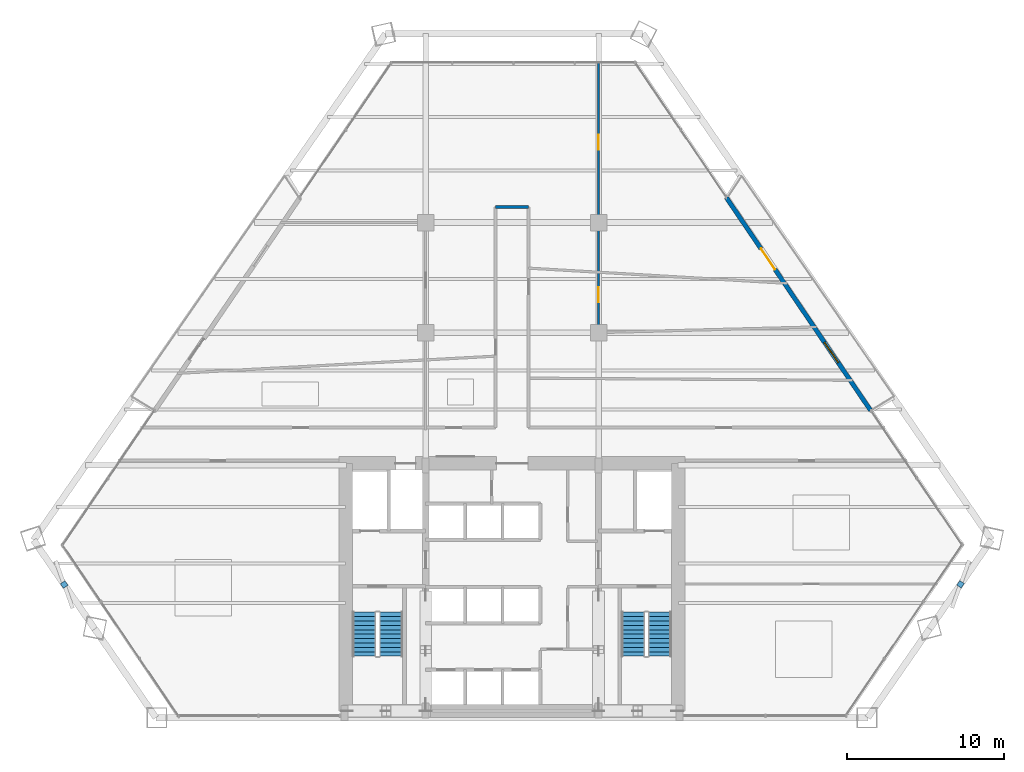
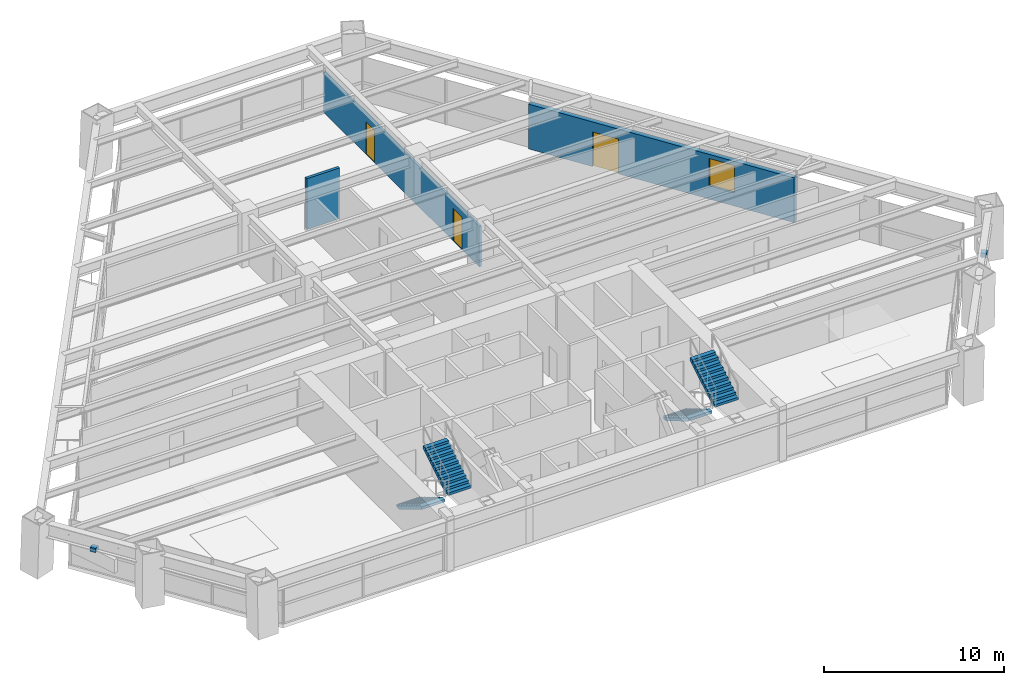
# One storey, part 12 of 14: 4 stair flights, 3 doors, 3 walls, 2 discrete accessories, 1 window, 4 openings, 2 elements without a shape of their own.
"""IFC4 building model written with IfcOpenShell, lengths in metres."""

from ifc_helpers import new_model, si_unit, direction, frame, frame_2d, origin, origin_2d, place, context, subcontext, project, spatial, polyline, rectangle, outline, extrude, source, transform, mapped, material, layer, layer_set, type_object, type_shapes, element, fill, aggregate, save


model = new_model("IFC4")

# Units and contexts
model_context = context("Model", 3, precision=1e-05, world=origin(), true_north=direction((0.0, 1.0)))
body_context = subcontext(model_context, "Body", "Model", "MODEL_VIEW")
ifc_project = project(units=[si_unit("LENGTHUNIT", "METRE"), si_unit("AREAUNIT", "SQUARE_METRE"), si_unit("VOLUMEUNIT", "CUBIC_METRE"), si_unit("PLANEANGLEUNIT", "RADIAN"), si_unit("MASSUNIT", "GRAM", prefix="KILO")], contexts=[model_context])

# Site, building, storey
site_placement = place(None, origin())
site = spatial("IfcSite", under=ifc_project, at=site_placement, CompositionType="ELEMENT")
building_placement = place(site_placement, origin())
building = spatial("IfcBuilding", under=site, at=building_placement, Name="Varnakhor Terracotta Tower", CompositionType="ELEMENT")
storey_placement = place(building_placement, frame((0.0, 0.0, 34.89990234375)))
storey = spatial("IfcBuildingStorey", under=building, at=storey_placement, Name="L07", CompositionType="ELEMENT", Elevation=34.89990234375)

# Wall
ifc_material_1 = material(Name="Fire-Rated Gypsum Stud Partition", Category="gypsum")
ifc_layer_1 = layer(ifc_material_1, 0.18505859375, Name="Fire-Rated Gypsum Stud Partition")
ifc_layer_set_1 = layer_set([ifc_layer_1], Name="Fire-Rated Gypsum Stud Partition")
wall_type_1 = type_object("IfcWallType", Name="WAL-CORR-185", PredefinedType="PARTITIONING", material=ifc_layer_set_1)
wall_1_placement = place(storey_placement, frame((-1.050048828125, 32.5, 0.0), z_axis=(0.0, 0.0, 1.0), x_axis=(1.0, 0.0, 0.0)))
element("IfcWall", 1, at=wall_1_placement, inside=storey, type_object=wall_type_1, Name="L07 Spine North End Wall", PredefinedType="PARTITIONING", context=body_context, shape_type="SweptSolid", body=[
    extrude(rectangle(XDim=2.10009765625, YDim=0.18505859375, at=frame_2d((1.050048828125, 0.0))), origin(), (0.0, 0.0, 1.0), 3.442138671875),
])

# Wall, openings, door, window
ifc_material_2 = material(Name="Extruded Architectural Terracotta Assembly", Category="masonry")
ifc_layer_2 = layer(ifc_material_2, 0.280029296875, Name="Extruded Architectural Terracotta Assembly")
ifc_layer_set_2 = layer_set([ifc_layer_2], Name="Extruded Architectural Terracotta Assembly")
wall_type_2 = type_object("IfcWallType", Name="WAL-EXT-TERRACOTTA-280", PredefinedType="SOLIDWALL", material=ifc_layer_set_2)
wall_2_placement = place(storey_placement, frame((13.62890625, 33.089599609375, 0.0), z_axis=(0.0, 0.0, 1.0), x_axis=(0.56106773426, -0.827769894096, 0.0)))
wall_2 = element("IfcWall", 2, at=wall_2_placement, inside=storey, type_object=wall_type_2, Name="L07 E Loggia Insulated Terracotta Wall", PredefinedType="SOLIDWALL", context=body_context, shape_type="SweptSolid", body=[
    extrude(rectangle(XDim=16.37109375, YDim=0.280029296875, at=frame_2d((8.185546875, 0.0))), origin(), (0.0, 0.0, 1.0), 3.030029296875),
])
opening_1_placement = place(wall_2_placement, frame((3.92919921875, 0.0, 0.0)))
opening_1 = element("IfcOpeningElement", 3, at=opening_1_placement, cuts=wall_2, Name="Opening DR-62", PredefinedType="OPENING", context=body_context, shape_type="SweptSolid", body=[
    extrude(rectangle(XDim=1.60009765625, YDim=2.35009765625, at=frame_2d((0.800048828125, 1.175048828125))), frame((0.0, 0.14990234375, 0.0), z_axis=(0.0, -1.0, 0.0), x_axis=(1.0, 0.0, 0.0)), (0.0, 0.0, 1.0), 0.300048828125),
])
opening_2_placement = place(wall_2_placement, frame((11.13232421875, 0.0, 0.89990234375)))
opening_2 = element("IfcOpeningElement", 4, at=opening_2_placement, cuts=wall_2, Name="Opening WN-57", PredefinedType="OPENING", context=body_context, shape_type="SweptSolid", body=[
    extrude(rectangle(XDim=1.550048828125, YDim=1.85009765625, at=frame_2d((0.77490234375, 0.925048828125))), frame((0.0, 0.14990234375, 0.0), z_axis=(0.0, -1.0, 0.0), x_axis=(1.0, 0.0, 0.0)), (0.0, 0.0, 1.0), 0.300048828125),
])
ifc_material_3 = material(Name="Thermally Broken Sliding Glass Loggia Door", Category="glass")
door_type_1 = type_object("IfcDoorType", Name="DR-EXT-LOGGIA-1600X2350", OperationType="NOTDEFINED", PredefinedType="DOOR", material=ifc_material_3)
shared_shape_1 = source(origin(), body_context, "Body", "SweptSolid", [
    extrude(rectangle(XDim=1.60009765625, YDim=2.35009765625, at=frame_2d((0.800048828125, 1.175048828125))), frame((0.0, 0.02490234375, 0.0), z_axis=(0.0, -1.0, 0.0), x_axis=(1.0, 0.0, 0.0)), (0.0, 0.0, 1.0), 0.050048828125),
])
type_shapes(door_type_1, [shared_shape_1])
door_1_placement = place(opening_1_placement, origin())
door_1 = element("IfcDoor", 5, at=door_1_placement, inside=storey, type_object=door_type_1, Name="L07 E Recessed Loggia Sliding Door", OperationType="SLIDING_TO_RIGHT", OverallHeight=2.35009765625, OverallWidth=1.60009765625, PredefinedType="DOOR", context=body_context, shape_type="MappedRepresentation", body=[
    mapped(shared_shape_1, transform((0.0, 0.0, 0.0), scale=1.0)),
])
fill(opening_1, door_1)
ifc_material_4 = material(Name="Solar-Control Low-E Insulated Glass Unit", Category="glass")
window_type = type_object("IfcWindowType", Name="WIN-OFF-1650X2100", PartitioningType="SINGLE_PANEL", PredefinedType="WINDOW", material=ifc_material_4)
shared_shape_2 = source(origin(), body_context, "Body", "SweptSolid", [
    extrude(rectangle(XDim=1.550048828125, YDim=1.85009765625, at=frame_2d((0.77490234375, 0.925048828125))), frame((0.0, 0.030029296875, 0.0), z_axis=(0.0, -1.0, 0.0), x_axis=(1.0, 0.0, 0.0)), (0.0, 0.0, 1.0), 0.06005859375),
])
type_shapes(window_type, [shared_shape_2])
window_placement = place(opening_2_placement, origin())
window = element("IfcWindow", 6, at=window_placement, inside=storey, type_object=window_type, Name="L07 E Facet Punched Window", OverallHeight=1.85009765625, OverallWidth=1.550048828125, PartitioningType="SINGLE_PANEL", PredefinedType="WINDOW", context=body_context, shape_type="MappedRepresentation", body=[
    mapped(shared_shape_2, transform((0.0, 0.0, 0.0), scale=1.0)),
])
fill(opening_2, window)

# Wall, openings, doors
ifc_material_5 = material(Name="Acoustic Metal-Stud Partition", Category="gypsum")
ifc_layer_3 = layer(ifc_material_5, 0.139892578125, Name="Acoustic Metal-Stud Partition")
ifc_layer_set_3 = layer_set([ifc_layer_3], Name="Acoustic Metal-Stud Partition")
wall_type_3 = type_object("IfcWallType", Name="WAL-PART-140", PredefinedType="PARTITIONING", material=ifc_layer_set_3)
wall_3_placement = place(storey_placement, frame((5.5, 24.5, 0.0), z_axis=(0.0, 0.0, 1.0), x_axis=(0.0, 1.0, 0.0)))
wall_3 = element("IfcWall", 7, at=wall_3_placement, inside=storey, type_object=wall_type_3, Name="L07 East Column Line Wall", PredefinedType="PARTITIONING", context=body_context, shape_type="SweptSolid", body=[
    extrude(rectangle(XDim=17.28173828125, YDim=0.139892578125, at=frame_2d((8.640869140625, 0.0))), origin(), (0.0, 0.0, 1.0), 2.7470703125),
])
opening_3_placement = place(wall_3_placement, frame((1.93896484375, 0.0, 0.0)))
opening_3 = element("IfcOpeningElement", 8, at=opening_3_placement, cuts=wall_3, Name="Opening DR-94", PredefinedType="OPENING", context=body_context, shape_type="SweptSolid", body=[
    extrude(rectangle(XDim=0.949951171875, YDim=2.199951171875, at=frame_2d((0.47509765625, 1.10009765625))), frame((0.0, 0.080078125, 0.0), z_axis=(0.0, -1.0, 0.0), x_axis=(1.0, 0.0, 0.0)), (0.0, 0.0, 1.0), 0.159912109375),
])
opening_4_placement = place(wall_3_placement, frame((11.62841796875, 0.0, 0.0)))
opening_4 = element("IfcOpeningElement", 9, at=opening_4_placement, cuts=wall_3, Name="Opening DR-94", PredefinedType="OPENING", context=body_context, shape_type="SweptSolid", body=[
    extrude(rectangle(XDim=0.949951171875, YDim=2.199951171875, at=frame_2d((0.47509765625, 1.10009765625))), frame((0.0, 0.080078125, 0.0), z_axis=(0.0, -1.0, 0.0), x_axis=(1.0, 0.0, 0.0)), (0.0, 0.0, 1.0), 0.159912109375),
])
ifc_material_6 = material(Name="Acoustic Glazed-Vision Timber Office Door", Category="wood")
door_type_2 = type_object("IfcDoorType", Name="DR-OFF-950X2200", OperationType="NOTDEFINED", PredefinedType="DOOR", material=ifc_material_6)
shared_shape_3 = source(origin(), body_context, "Body", "SweptSolid", [
    extrude(rectangle(XDim=0.949951171875, YDim=2.199951171875, at=frame_2d((0.47509765625, 1.10009765625))), frame((0.0, 0.02490234375, 0.0), z_axis=(0.0, -1.0, 0.0), x_axis=(1.0, 0.0, 0.0)), (0.0, 0.0, 1.0), 0.050048828125),
])
type_shapes(door_type_2, [shared_shape_3])
door_2_placement = place(opening_3_placement, origin())
door_2 = element("IfcDoor", 10, at=door_2_placement, inside=storey, type_object=door_type_2, Name="L07 Client Lounge Door", OperationType="SINGLE_SWING_RIGHT", OverallHeight=2.199951171875, OverallWidth=0.949951171875, PredefinedType="DOOR", context=body_context, shape_type="MappedRepresentation", body=[
    mapped(shared_shape_3, transform((0.0, 0.0, 0.0), scale=1.0)),
])
fill(opening_3, door_2)
door_3_placement = place(opening_4_placement, origin())
door_3 = element("IfcDoor", 11, at=door_3_placement, inside=storey, type_object=door_type_2, Name="L07 Focus Study 1 Door", OperationType="SINGLE_SWING_RIGHT", OverallHeight=2.199951171875, OverallWidth=0.949951171875, PredefinedType="DOOR", context=body_context, shape_type="MappedRepresentation", body=[
    mapped(shared_shape_3, transform((0.0, 0.0, 0.0), scale=1.0)),
])
fill(opening_4, door_3)

# Stair, stair flights
ifc_material_7 = material(Name="Concrete C40/50", Category="concrete")
stair_type = type_object("IfcStairType", Name="STR-CORE-OFFICE-1500", PredefinedType="HALF_TURN_STAIR", material=ifc_material_7)
stair_1_placement = place(storey_placement, origin())
stair_1 = element("IfcStair", 12, at=stair_1_placement, inside=storey, type_object=stair_type, Name="L07 Core Exit Stair ST-1", PredefinedType="HALF_TURN_STAIR")
stair_flight_type = type_object("IfcStairFlightType", Name="FLT-CORE-1500", PredefinedType="STRAIGHT", material=ifc_material_7)
stair_flight_1_placement = place(storey_placement, frame((-9.39990234375, 6.7099609375, 0.0), z_axis=(0.0, 0.0, 1.0), x_axis=(0.0, -1.0, 0.0)))
stair_flight_1 = element("IfcStairFlight", 13, at=stair_flight_1_placement, type_object=stair_flight_type, Name="ST-1 flight 1", NumberOfRisers=11, NumberOfTreads=10, PredefinedType="STRAIGHT", RiserHeight=0.168181818, TreadLength=0.28, context=body_context, shape_type="SweptSolid", body=[
    extrude(outline(polyline([(0.0, 0.0), (0.0, 0.168212890625), (0.280029296875, 0.168212890625), (0.280029296875, 0.33642578125), (0.56005859375, 0.33642578125), (0.56005859375, 0.504638671875), (0.840087890625, 0.504638671875), (0.840087890625, 0.672607421875), (1.1201171875, 0.672607421875), (1.1201171875, 0.8408203125), (1.39990234375, 0.8408203125), (1.39990234375, 1.009033203125), (1.679931640625, 1.009033203125), (1.679931640625, 1.17724609375), (1.9599609375, 1.17724609375), (1.9599609375, 1.345458984375), (2.239990234375, 1.345458984375), (2.239990234375, 1.513671875), (2.52001953125, 1.513671875), (2.52001953125, 1.681884765625), (2.800048828125, 1.681884765625), (2.800048828125, 1.85009765625), (2.800048828125, 1.495361328125), (0.310546875, 0.0), (0.0, 0.0)])), frame((0.0, 0.75, 0.0), z_axis=(0.0, -1.0, 0.0), x_axis=(1.0, 0.0, 0.0)), (0.0, 0.0, 1.0), 1.5),
])
stair_flight_2_placement = place(storey_placement, frame((-7.699951171875, 3.909912109375, 1.85009765625), z_axis=(0.0, 0.0, 1.0), x_axis=(0.0, 1.0, 0.0)))
stair_flight_2 = element("IfcStairFlight", 14, at=stair_flight_2_placement, type_object=stair_flight_type, Name="ST-1 flight 2", NumberOfRisers=11, NumberOfTreads=10, PredefinedType="STRAIGHT", RiserHeight=0.168181818, TreadLength=0.28, context=body_context, shape_type="SweptSolid", body=[
    extrude(outline(polyline([(0.0, 0.0), (0.0, 0.168212890625), (0.280029296875, 0.168212890625), (0.280029296875, 0.33642578125), (0.56005859375, 0.33642578125), (0.56005859375, 0.504638671875), (0.840087890625, 0.504638671875), (0.840087890625, 0.672607421875), (1.1201171875, 0.672607421875), (1.1201171875, 0.8408203125), (1.39990234375, 0.8408203125), (1.39990234375, 1.009033203125), (1.679931640625, 1.009033203125), (1.679931640625, 1.17724609375), (1.9599609375, 1.17724609375), (1.9599609375, 1.345458984375), (2.239990234375, 1.345458984375), (2.239990234375, 1.513671875), (2.52001953125, 1.513671875), (2.52001953125, 1.681884765625), (2.800048828125, 1.681884765625), (2.800048828125, 1.85009765625), (2.800048828125, 1.495361328125), (0.310546875, 0.0), (0.0, 0.0)])), frame((0.0, 0.75, 0.0), z_axis=(0.0, -1.0, 0.0), x_axis=(1.0, 0.0, 0.0)), (0.0, 0.0, 1.0), 1.5),
])
aggregate(stair_1, [stair_flight_1, stair_flight_2])

stair_2_placement = place(storey_placement, origin())
stair_2 = element("IfcStair", 15, at=stair_2_placement, inside=storey, type_object=stair_type, Name="L07 Core Exit Stair ST-2", PredefinedType="HALF_TURN_STAIR")
stair_flight_3_placement = place(storey_placement, frame((7.699951171875, 6.7099609375, 0.0), z_axis=(0.0, 0.0, 1.0), x_axis=(0.0, -1.0, 0.0)))
stair_flight_3 = element("IfcStairFlight", 16, at=stair_flight_3_placement, type_object=stair_flight_type, Name="ST-2 flight 1", NumberOfRisers=11, NumberOfTreads=10, PredefinedType="STRAIGHT", RiserHeight=0.168181818, TreadLength=0.28, context=body_context, shape_type="SweptSolid", body=[
    extrude(outline(polyline([(0.0, 0.0), (0.0, 0.168212890625), (0.280029296875, 0.168212890625), (0.280029296875, 0.33642578125), (0.56005859375, 0.33642578125), (0.56005859375, 0.504638671875), (0.840087890625, 0.504638671875), (0.840087890625, 0.672607421875), (1.1201171875, 0.672607421875), (1.1201171875, 0.8408203125), (1.39990234375, 0.8408203125), (1.39990234375, 1.009033203125), (1.679931640625, 1.009033203125), (1.679931640625, 1.17724609375), (1.9599609375, 1.17724609375), (1.9599609375, 1.345458984375), (2.239990234375, 1.345458984375), (2.239990234375, 1.513671875), (2.52001953125, 1.513671875), (2.52001953125, 1.681884765625), (2.800048828125, 1.681884765625), (2.800048828125, 1.85009765625), (2.800048828125, 1.495361328125), (0.310546875, 0.0), (0.0, 0.0)])), frame((0.0, 0.75, 0.0), z_axis=(0.0, -1.0, 0.0), x_axis=(1.0, 0.0, 0.0)), (0.0, 0.0, 1.0), 1.5),
])
stair_flight_4_placement = place(storey_placement, frame((9.39990234375, 3.909912109375, 1.85009765625), z_axis=(0.0, 0.0, 1.0), x_axis=(0.0, 1.0, 0.0)))
stair_flight_4 = element("IfcStairFlight", 17, at=stair_flight_4_placement, type_object=stair_flight_type, Name="ST-2 flight 2", NumberOfRisers=11, NumberOfTreads=10, PredefinedType="STRAIGHT", RiserHeight=0.168181818, TreadLength=0.28, context=body_context, shape_type="SweptSolid", body=[
    extrude(outline(polyline([(0.0, 0.0), (0.0, 0.168212890625), (0.280029296875, 0.168212890625), (0.280029296875, 0.33642578125), (0.56005859375, 0.33642578125), (0.56005859375, 0.504638671875), (0.840087890625, 0.504638671875), (0.840087890625, 0.672607421875), (1.1201171875, 0.672607421875), (1.1201171875, 0.8408203125), (1.39990234375, 0.8408203125), (1.39990234375, 1.009033203125), (1.679931640625, 1.009033203125), (1.679931640625, 1.17724609375), (1.9599609375, 1.17724609375), (1.9599609375, 1.345458984375), (2.239990234375, 1.345458984375), (2.239990234375, 1.513671875), (2.52001953125, 1.513671875), (2.52001953125, 1.681884765625), (2.800048828125, 1.681884765625), (2.800048828125, 1.85009765625), (2.800048828125, 1.495361328125), (0.310546875, 0.0), (0.0, 0.0)])), frame((0.0, 0.75, 0.0), z_axis=(0.0, -1.0, 0.0), x_axis=(1.0, 0.0, 0.0)), (0.0, 0.0, 1.0), 1.5),
])
aggregate(stair_2, [stair_flight_3, stair_flight_4])

# Discrete accessories
ifc_material_8 = material(Name="Stainless Steel Fixing Bracket", Category="steel")
discrete_accessory_type = type_object("IfcDiscreteAccessoryType", Name="BRACKET-TERRACOTTA-SCREEN", PredefinedType="BRACKET", material=ifc_material_8)
shared_shape_4 = source(origin(), body_context, "Body", "SweptSolid", [
    extrude(rectangle(XDim=0.35009765625, YDim=0.35009765625, at=origin_2d()), origin(), (0.0, 0.0, 1.0), 0.280029296875),
])
type_shapes(discrete_accessory_type, [shared_shape_4])
for number, where, z_axis, x_axis, name in (
    (18, (28.52880859375, 8.48388671875, 2.39306640625), (0.0, 0.0, 1.0), (0.570727899355, 0.821139248178, 0.0), "L07 E Screen Fixing Bracket"),
    (19, (-28.49658203125, 8.46826171875, 2.39306640625), (0.0, 0.0, 1.0), (0.56742704558, -0.823423674632, 0.0), "L07 W Screen Fixing Bracket"),
):
    element("IfcDiscreteAccessory", number, at=place(storey_placement, frame(where, z_axis=z_axis, x_axis=x_axis)), inside=storey, type_object=discrete_accessory_type, Name=name, PredefinedType="BRACKET", context=body_context, shape_type="MappedRepresentation", body=[
        mapped(shared_shape_4, transform((0.0, 0.0, 0.0), scale=1.0)),
    ])

save(model, "model.ifc")
